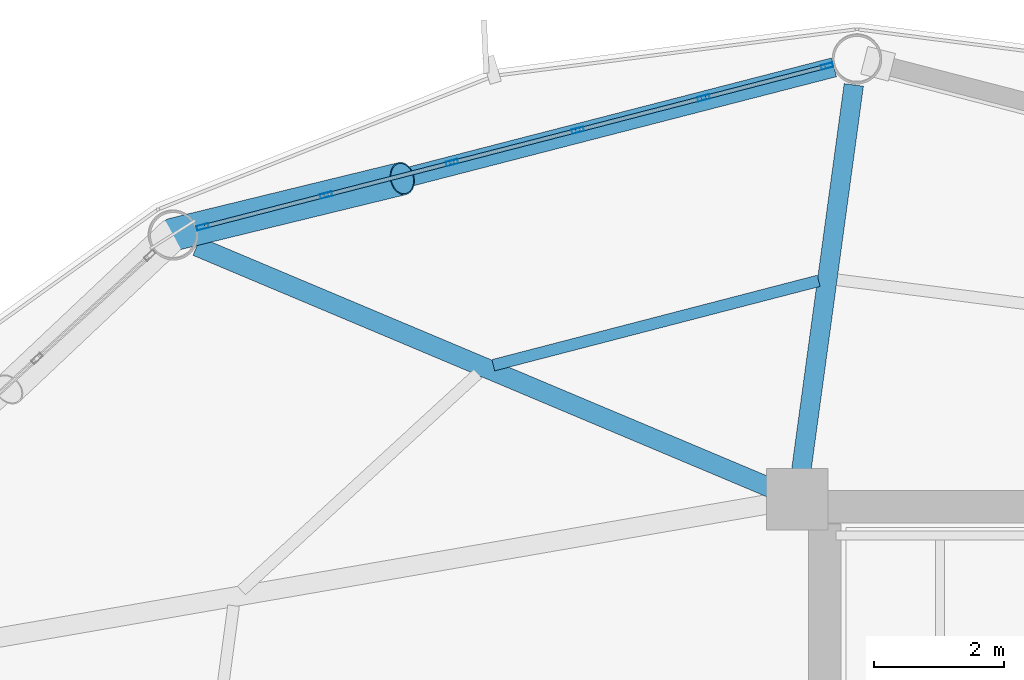
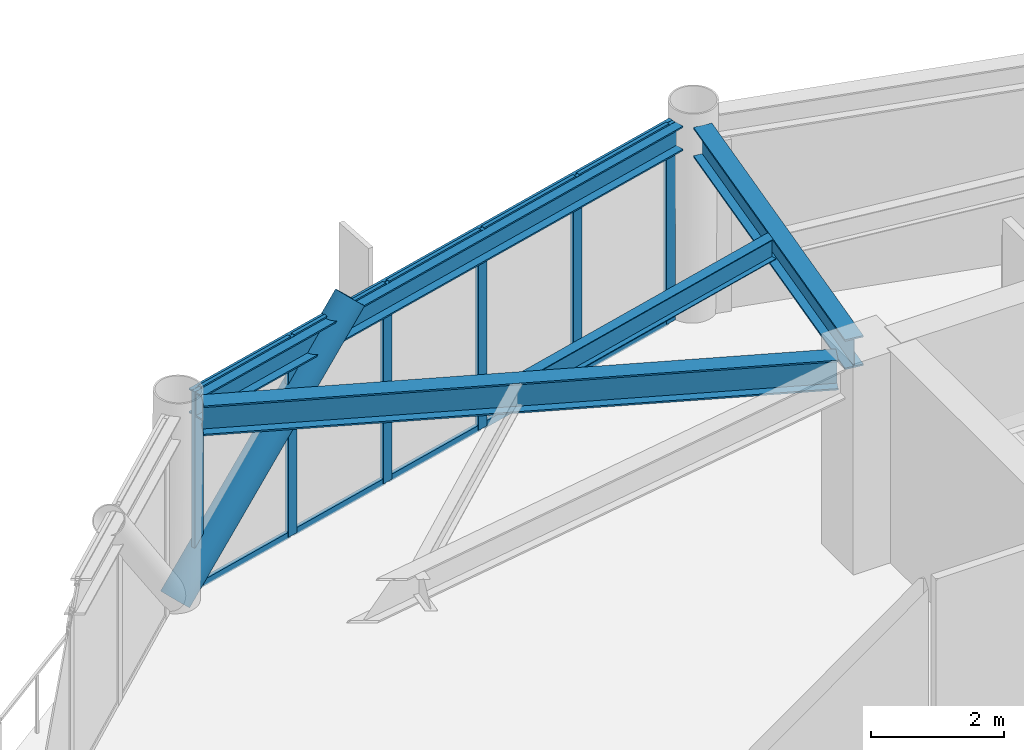
# One storey, part 16 of 25: 17 members, 4 beams, 1 element without a shape of its own.
"""IFC4 building model written with IfcOpenShell, lengths in metres."""

from ifc_helpers import new_model, si_unit, direction, frame, origin, origin_2d, place, context, subcontext, project, spatial, hollow_rectangle, hollow_circle, i_section, extrude, material, layer, layer_set, material_profile, profile_set, type_object, element, aggregate, save


model = new_model("IFC4")

# Units and contexts
model_context = context("Model", 3, precision=1e-05, world=origin(), true_north=direction((0.0, 1.0)))
body_context = subcontext(model_context, "Body", "Model", "MODEL_VIEW")
ifc_project = project(units=[si_unit("LENGTHUNIT", "METRE"), si_unit("AREAUNIT", "SQUARE_METRE"), si_unit("VOLUMEUNIT", "CUBIC_METRE"), si_unit("PLANEANGLEUNIT", "RADIAN"), si_unit("MASSUNIT", "GRAM", prefix="KILO")], contexts=[model_context])

# Site, building, storey
site_placement = place(None, origin())
site = spatial("IfcSite", under=ifc_project, at=site_placement, CompositionType="ELEMENT")
building_placement = place(site_placement, origin())
building = spatial("IfcBuilding", under=site, at=building_placement, Name="Varnakorn Sky Granary", CompositionType="ELEMENT")
storey_placement = place(building_placement, frame((0.0, 0.0, 122.699951171875)))
storey = spatial("IfcBuildingStorey", under=building, at=storey_placement, Name="L30", CompositionType="ELEMENT", Elevation=122.699951171875)

# Beams
ifc_material_1 = material(Name="Steel S355JR", Category="steel")
ifc_material_profile_1 = material_profile(ifc_material_1, i_section(OverallWidth=0.300048828125, OverallDepth=0.550048828125, WebThickness=0.014892578125, FlangeThickness=0.029052734375, at=origin_2d()), Name="HE 550 B")
ifc_profile_set_1 = profile_set([ifc_material_profile_1], Name="Steel S355JR")
beam_type_1 = type_object("IfcBeamType", Name="BM-RAD-Z3", PredefinedType="BEAM", material=ifc_profile_set_1)
beam_1_placement = place(storey_placement, frame((-2.36328125, 13.0361328125, 3.364990234375), z_axis=(0.134979510176, 0.990848389933, 0.0), x_axis=(-0.990848389933, 0.134979510176, 0.0)))
element("IfcBeam", 1, at=beam_1_placement, inside=storey, type_object=beam_type_1, Name="Radial Floor Girder RG04 L30", PredefinedType="BEAM", context=body_context, shape_type="SweptSolid", body=[
    extrude(i_section(OverallWidth=0.300048828125, OverallDepth=0.550048828125, WebThickness=0.014892578125, FlangeThickness=0.029052734375, at=origin_2d()), origin(), (0.0, 0.0, 1.0), 6.0302734375),
])
beam_2_placement = place(storey_placement, frame((-2.80712890625, 12.782958984375, 3.364990234375), z_axis=(-0.921717880133, 0.387860992423, 0.0), x_axis=(-0.387860992423, -0.921717880133, 0.0)))
element("IfcBeam", 2, at=beam_2_placement, inside=storey, type_object=beam_type_1, Name="Radial Floor Girder RG05 L30", PredefinedType="BEAM", context=body_context, shape_type="SweptSolid", body=[
    extrude(i_section(OverallWidth=0.300048828125, OverallDepth=0.550048828125, WebThickness=0.014892578125, FlangeThickness=0.029052734375, at=origin_2d()), origin(), (0.0, 0.0, 1.0), 9.6337890625),
])
ifc_material_profile_2 = material_profile(ifc_material_1, i_section(OverallWidth=0.179931640625, OverallDepth=0.39990234375, WebThickness=0.008544921875, FlangeThickness=0.013427734375, at=origin_2d()), Name="IPE 400")
ifc_profile_set_2 = profile_set([ifc_material_profile_2], Name="Steel S355JR")
beam_type_2 = type_object("IfcBeamType", Name="BM-SEC-Z3", PredefinedType="BEAM", material=ifc_profile_set_2)
beam_3_placement = place(storey_placement, frame((-2.091796875, 15.988525390625, 3.43994140625), z_axis=(-0.967955372628, -0.251122274202, 0.0), x_axis=(0.251122274202, -0.967955372628, 0.0)))
element("IfcBeam", 3, at=beam_3_placement, inside=storey, type_object=beam_type_2, Name="Secondary Floor Chord Beam MSB04 L30", PredefinedType="BEAM", context=body_context, shape_type="SweptSolid", body=[
    extrude(i_section(OverallWidth=0.179931640625, OverallDepth=0.39990234375, WebThickness=0.008544921875, FlangeThickness=0.013427734375, at=origin_2d()), origin(), (0.0, 0.0, 1.0), 5.185791015625),
])
ifc_material_profile_3 = material_profile(ifc_material_1, i_section(OverallWidth=0.300048828125, OverallDepth=0.449951171875, WebThickness=0.013916015625, FlangeThickness=0.02587890625, at=origin_2d()), Name="HE 450 B")
ifc_profile_set_3 = profile_set([ifc_material_profile_3], Name="Steel S355JR")
beam_type_3 = type_object("IfcBeamType", Name="BM-SPD-Z3", PredefinedType="SPANDREL", material=ifc_profile_set_3)
beam_4_placement = place(storey_placement, frame((-1.8544921875, 19.28271484375, 3.4150390625), z_axis=(-0.968347030914, -0.249607747715, 0.0), x_axis=(0.249607747715, -0.968347030914, 0.0)))
element("IfcBeam", 4, at=beam_4_placement, inside=storey, type_object=beam_type_3, Name="Perimeter Spandrel Ring Beam RB04 L30", PredefinedType="SPANDREL", context=body_context, shape_type="SweptSolid", body=[
    extrude(i_section(OverallWidth=0.300048828125, OverallDepth=0.449951171875, WebThickness=0.013916015625, FlangeThickness=0.02587890625, at=origin_2d()), origin(), (0.0, 0.0, 1.0), 10.135986328125),
])

# Curtain wall, members
ifc_material_2 = material(Name="Anodised Bronze Aluminium Alloy 6063-T6", Category="aluminium")
ifc_layer = layer(ifc_material_2, 0.179931640625, Name="Anodised Bronze Aluminium Alloy 6063-T6")
ifc_layer_set = layer_set([ifc_layer], Name="Anodised Bronze Aluminium Alloy 6063-T6")
curtain_wall_type = type_object("IfcCurtainWallType", Name="CW-FRM-2", PredefinedType="USERDEFINED", material=ifc_layer_set)
curtain_wall_placement = place(storey_placement, origin())
curtain_wall = element("IfcCurtainWall", 5, at=curtain_wall_placement, inside=storey, type_object=curtain_wall_type, Name="Unitised Curtain Wall CW4 CW-L30-B04", ObjectType="CURTAIN WALL", PredefinedType="USERDEFINED")
ifc_material_profile_4 = material_profile(ifc_material_2, hollow_rectangle(XDim=0.070068359375, YDim=0.18505859375, WallThickness=0.00390625, at=origin_2d()), Name="ALU MULL 70x185")
ifc_profile_set_4 = profile_set([ifc_material_profile_4], Name="Anodised Bronze Aluminium Alloy 6063-T6")
member_type_1 = type_object("IfcMemberType", Name="CW-FRM-2-MULL", PredefinedType="MULLION", material=ifc_profile_set_4)
member_1_placement = place(storey_placement, frame((-11.596435546875, 16.821044921875, 0.0), z_axis=(0.0, 0.0, 1.0), x_axis=(-0.249384178066, 0.968404632233, 0.0)))
member_1 = element("IfcMember", 6, at=member_1_placement, type_object=member_type_1, Name="CW4 mullion 1", PredefinedType="MULLION", context=body_context, shape_type="SweptSolid", body=[
    extrude(hollow_rectangle(XDim=0.070068359375, YDim=0.18505859375, WallThickness=0.00390625, at=origin_2d()), origin(), (0.0, 0.0, 1.0), 3.64013671875),
])
member_2_placement = place(storey_placement, frame((-9.689697265625, 17.31201171875, 0.0), z_axis=(0.0, 0.0, 1.0), x_axis=(-0.249384178066, 0.968404632233, 0.0)))
member_2 = element("IfcMember", 7, at=member_2_placement, type_object=member_type_1, Name="CW4 mullion 2", PredefinedType="MULLION", context=body_context, shape_type="SweptSolid", body=[
    extrude(hollow_rectangle(XDim=0.070068359375, YDim=0.18505859375, WallThickness=0.00390625, at=origin_2d()), origin(), (0.0, 0.0, 1.0), 3.64013671875),
])
member_3_placement = place(storey_placement, frame((-7.7490234375, 17.811767578125, 0.0), z_axis=(0.0, 0.0, 1.0), x_axis=(-0.249384178066, 0.968404632233, 0.0)))
member_3 = element("IfcMember", 8, at=member_3_placement, type_object=member_type_1, Name="CW4 mullion 3", PredefinedType="MULLION", context=body_context, shape_type="SweptSolid", body=[
    extrude(hollow_rectangle(XDim=0.070068359375, YDim=0.18505859375, WallThickness=0.00390625, at=origin_2d()), origin(), (0.0, 0.0, 1.0), 3.64013671875),
])
member_4_placement = place(storey_placement, frame((-5.808349609375, 18.3115234375, 0.0), z_axis=(0.0, 0.0, 1.0), x_axis=(-0.249384178066, 0.968404632233, 0.0)))
member_4 = element("IfcMember", 9, at=member_4_placement, type_object=member_type_1, Name="CW4 mullion 4", PredefinedType="MULLION", context=body_context, shape_type="SweptSolid", body=[
    extrude(hollow_rectangle(XDim=0.070068359375, YDim=0.18505859375, WallThickness=0.00390625, at=origin_2d()), origin(), (0.0, 0.0, 1.0), 3.64013671875),
])
member_5_placement = place(storey_placement, frame((-3.86767578125, 18.811279296875, 0.0), z_axis=(0.0, 0.0, 1.0), x_axis=(-0.249384178066, 0.968404632233, 0.0)))
member_5 = element("IfcMember", 10, at=member_5_placement, type_object=member_type_1, Name="CW4 mullion 5", PredefinedType="MULLION", context=body_context, shape_type="SweptSolid", body=[
    extrude(hollow_rectangle(XDim=0.070068359375, YDim=0.18505859375, WallThickness=0.00390625, at=origin_2d()), origin(), (0.0, 0.0, 1.0), 3.64013671875),
])
member_6_placement = place(storey_placement, frame((-1.9609375, 19.30224609375, 0.0), z_axis=(0.0, 0.0, 1.0), x_axis=(-0.249384178066, 0.968404632233, 0.0)))
member_6 = element("IfcMember", 11, at=member_6_placement, type_object=member_type_1, Name="CW4 mullion 6", PredefinedType="MULLION", context=body_context, shape_type="SweptSolid", body=[
    extrude(hollow_rectangle(XDim=0.070068359375, YDim=0.18505859375, WallThickness=0.00390625, at=origin_2d()), origin(), (0.0, 0.0, 1.0), 3.64013671875),
])
ifc_material_profile_5 = material_profile(ifc_material_2, hollow_rectangle(XDim=0.06494140625, YDim=0.1201171875, WallThickness=0.00341796875, at=origin_2d()), Name="ALU TRAN 65x120")
ifc_profile_set_5 = profile_set([ifc_material_profile_5], Name="Anodised Bronze Aluminium Alloy 6063-T6")
member_type_2 = type_object("IfcMemberType", Name="CW-FRM-2-TRAN", PredefinedType="USERDEFINED", material=ifc_profile_set_5)
member_7_placement = place(storey_placement, frame((-11.5625, 16.82958984375, 0.032470703125), z_axis=(0.968393622062, 0.249426928678, 0.0), x_axis=(-0.249426928678, 0.968393622062, 0.0)))
member_7 = element("IfcMember", 12, at=member_7_placement, type_object=member_type_2, Name="CW4 transom 1.1", ObjectType="TRANSOM", PredefinedType="USERDEFINED", context=body_context, shape_type="SweptSolid", body=[
    extrude(hollow_rectangle(XDim=0.06494140625, YDim=0.1201171875, WallThickness=0.00341796875, at=origin_2d()), origin(), (0.0, 0.0, 1.0), 1.89892578125),
])
member_8_placement = place(storey_placement, frame((-11.5625, 16.82958984375, 3.607666015625), z_axis=(0.968393622062, 0.249426928678, 0.0), x_axis=(-0.249426928678, 0.968393622062, 0.0)))
member_8 = element("IfcMember", 13, at=member_8_placement, type_object=member_type_2, Name="CW4 transom 1.2", ObjectType="TRANSOM", PredefinedType="USERDEFINED", context=body_context, shape_type="SweptSolid", body=[
    extrude(hollow_rectangle(XDim=0.06494140625, YDim=0.1201171875, WallThickness=0.00341796875, at=origin_2d()), origin(), (0.0, 0.0, 1.0), 1.89892578125),
])
member_9_placement = place(storey_placement, frame((-9.65576171875, 17.32080078125, 0.032470703125), z_axis=(0.968418070444, 0.249331989197, 0.0), x_axis=(-0.249331989197, 0.968418070444, 0.0)))
member_9 = element("IfcMember", 14, at=member_9_placement, type_object=member_type_2, Name="CW4 transom 2.1", ObjectType="TRANSOM", PredefinedType="USERDEFINED", context=body_context, shape_type="SweptSolid", body=[
    extrude(hollow_rectangle(XDim=0.06494140625, YDim=0.1201171875, WallThickness=0.00341796875, at=origin_2d()), origin(), (0.0, 0.0, 1.0), 1.933837890625),
])
member_10_placement = place(storey_placement, frame((-9.65576171875, 17.32080078125, 3.607666015625), z_axis=(0.968418070444, 0.249331989197, 0.0), x_axis=(-0.249331989197, 0.968418070444, 0.0)))
member_10 = element("IfcMember", 15, at=member_10_placement, type_object=member_type_2, Name="CW4 transom 2.2", ObjectType="TRANSOM", PredefinedType="USERDEFINED", context=body_context, shape_type="SweptSolid", body=[
    extrude(hollow_rectangle(XDim=0.06494140625, YDim=0.1201171875, WallThickness=0.00341796875, at=origin_2d()), origin(), (0.0, 0.0, 1.0), 1.933837890625),
])
member_11_placement = place(storey_placement, frame((-7.715087890625, 17.820556640625, 0.032470703125), z_axis=(0.968418070444, 0.249331989197, 0.0), x_axis=(-0.249331989197, 0.968418070444, 0.0)))
member_11 = element("IfcMember", 16, at=member_11_placement, type_object=member_type_2, Name="CW4 transom 3.1", ObjectType="TRANSOM", PredefinedType="USERDEFINED", context=body_context, shape_type="SweptSolid", body=[
    extrude(hollow_rectangle(XDim=0.06494140625, YDim=0.1201171875, WallThickness=0.00341796875, at=origin_2d()), origin(), (0.0, 0.0, 1.0), 1.933837890625),
])
member_12_placement = place(storey_placement, frame((-7.715087890625, 17.820556640625, 3.607666015625), z_axis=(0.968418070444, 0.249331989197, 0.0), x_axis=(-0.249331989197, 0.968418070444, 0.0)))
member_12 = element("IfcMember", 17, at=member_12_placement, type_object=member_type_2, Name="CW4 transom 3.2", ObjectType="TRANSOM", PredefinedType="USERDEFINED", context=body_context, shape_type="SweptSolid", body=[
    extrude(hollow_rectangle(XDim=0.06494140625, YDim=0.1201171875, WallThickness=0.00341796875, at=origin_2d()), origin(), (0.0, 0.0, 1.0), 1.933837890625),
])
member_13_placement = place(storey_placement, frame((-5.7744140625, 18.3203125, 0.032470703125), z_axis=(0.968418070444, 0.249331989197, 0.0), x_axis=(-0.249331989197, 0.968418070444, 0.0)))
member_13 = element("IfcMember", 18, at=member_13_placement, type_object=member_type_2, Name="CW4 transom 4.1", ObjectType="TRANSOM", PredefinedType="USERDEFINED", context=body_context, shape_type="SweptSolid", body=[
    extrude(hollow_rectangle(XDim=0.06494140625, YDim=0.1201171875, WallThickness=0.00341796875, at=origin_2d()), origin(), (0.0, 0.0, 1.0), 1.933837890625),
])
member_14_placement = place(storey_placement, frame((-5.7744140625, 18.3203125, 3.607666015625), z_axis=(0.968418070444, 0.249331989197, 0.0), x_axis=(-0.249331989197, 0.968418070444, 0.0)))
member_14 = element("IfcMember", 19, at=member_14_placement, type_object=member_type_2, Name="CW4 transom 4.2", ObjectType="TRANSOM", PredefinedType="USERDEFINED", context=body_context, shape_type="SweptSolid", body=[
    extrude(hollow_rectangle(XDim=0.06494140625, YDim=0.1201171875, WallThickness=0.00341796875, at=origin_2d()), origin(), (0.0, 0.0, 1.0), 1.933837890625),
])
member_15_placement = place(storey_placement, frame((-3.833984375, 18.820068359375, 0.032470703125), z_axis=(0.968432660828, 0.249275312538, 0.0), x_axis=(-0.249275312538, 0.968432660828, 0.0)))
member_15 = element("IfcMember", 20, at=member_15_placement, type_object=member_type_2, Name="CW4 transom 5.1", ObjectType="TRANSOM", PredefinedType="USERDEFINED", context=body_context, shape_type="SweptSolid", body=[
    extrude(hollow_rectangle(XDim=0.06494140625, YDim=0.1201171875, WallThickness=0.00341796875, at=origin_2d()), origin(), (0.0, 0.0, 1.0), 1.899169921875),
])
member_16_placement = place(storey_placement, frame((-3.833984375, 18.820068359375, 3.607666015625), z_axis=(0.968432660828, 0.249275312538, 0.0), x_axis=(-0.249275312538, 0.968432660828, 0.0)))
member_16 = element("IfcMember", 21, at=member_16_placement, type_object=member_type_2, Name="CW4 transom 5.2", ObjectType="TRANSOM", PredefinedType="USERDEFINED", context=body_context, shape_type="SweptSolid", body=[
    extrude(hollow_rectangle(XDim=0.06494140625, YDim=0.1201171875, WallThickness=0.00341796875, at=origin_2d()), origin(), (0.0, 0.0, 1.0), 1.899169921875),
])
aggregate(curtain_wall, [member_1, member_2, member_3, member_4, member_5, member_6, member_7, member_8, member_9, member_10, member_11, member_12, member_13, member_14, member_15, member_16])

# Member
ifc_material_3 = material(Name="Steel S460M", Category="steel")
ifc_material_profile_6 = material_profile(ifc_material_3, hollow_circle(Radius=0.25390625, WallThickness=0.01806640625, at=origin_2d()), Name="CHS 508x18")
ifc_profile_set_6 = profile_set([ifc_material_profile_6], Name="Steel S460M")
member_type_3 = type_object("IfcMemberType", Name="MB-DIAG-T2", PredefinedType="BRACE", material=ifc_profile_set_6)
member_17_placement = place(storey_placement, frame((-12.0576171875, 16.7021484375, 0.0), z_axis=(0.673475686356, 0.164213670388, 0.720738767061), x_axis=(-0.236889881728, 0.971536506743, 0.0)))
element("IfcMember", 22, at=member_17_placement, inside=storey, type_object=member_type_3, Name="Perimeter CHS Diagrid Brace DG04 L30", PredefinedType="BRACE", context=body_context, shape_type="SweptSolid", body=[
    extrude(hollow_circle(Radius=0.25390625, WallThickness=0.01806640625, at=origin_2d()), origin(), (0.0, 0.0, 1.0), 5.258544921875),
])

save(model, "model.ifc")
